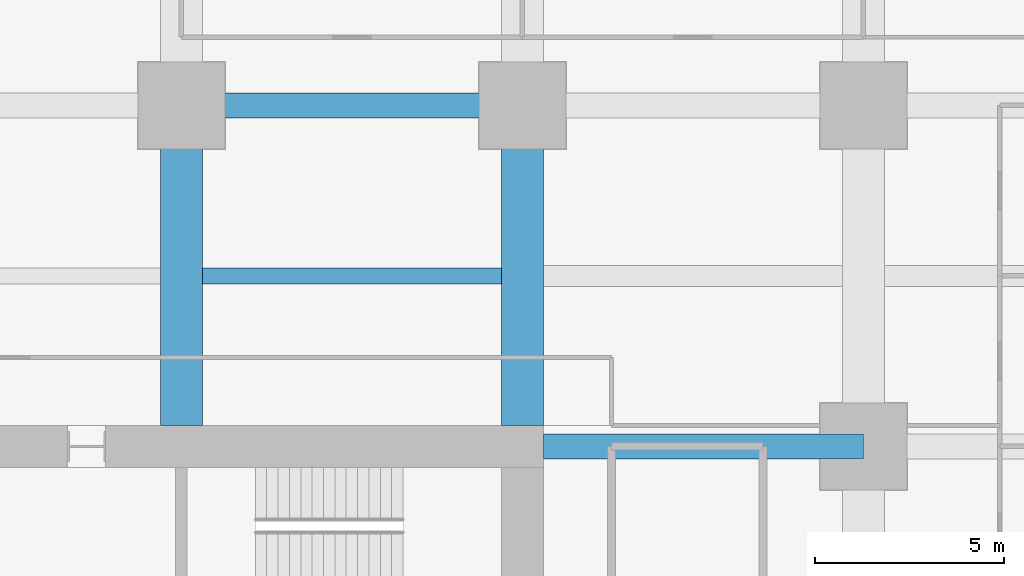
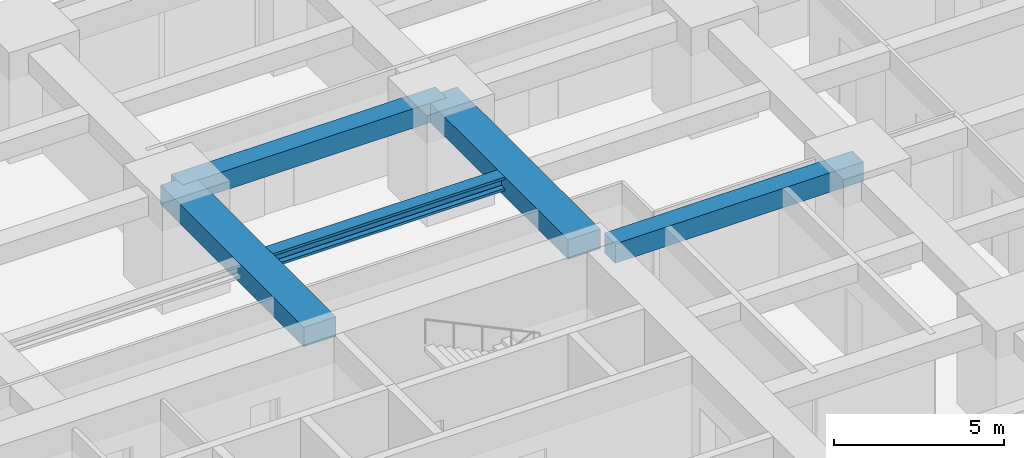
# One storey, part 31 of 45: 5 beams.
"""IFC4 building model written with IfcOpenShell, lengths in metres."""

from ifc_helpers import new_model, si_unit, direction, frame, origin, origin_2d, place, context, subcontext, project, spatial, rectangle, i_section, extrude, material, material_profile, profile_set, type_object, element, save


model = new_model("IFC4")

# Units and contexts
model_context = context("Model", 3, precision=1e-05, world=origin(), true_north=direction((0.0, 1.0)))
body_context = subcontext(model_context, "Body", "Model", "MODEL_VIEW")
ifc_project = project(units=[si_unit("LENGTHUNIT", "METRE"), si_unit("AREAUNIT", "SQUARE_METRE"), si_unit("VOLUMEUNIT", "CUBIC_METRE"), si_unit("PLANEANGLEUNIT", "RADIAN"), si_unit("MASSUNIT", "GRAM", prefix="KILO")], contexts=[model_context])

# Site, building, storey
site_placement = place(None, origin())
site = spatial("IfcSite", under=ifc_project, at=site_placement, CompositionType="ELEMENT")
building_placement = place(site_placement, origin())
building = spatial("IfcBuilding", under=site, at=building_placement, Name="Zorevar Civic Tower", CompositionType="ELEMENT")
storey_placement = place(building_placement, frame((0.0, 0.0, 23.800048828125)))
storey = spatial("IfcBuildingStorey", under=building, at=storey_placement, Name="L05", CompositionType="ELEMENT", Elevation=23.800048828125)

# Beams
ifc_material_1 = material(Name="Concrete C50/60", Category="concrete")
ifc_material_profile_1 = material_profile(ifc_material_1, rectangle(XDim=1.10009765625, YDim=0.699951171875, at=origin_2d()), Name="RC 1100x700")
ifc_profile_set_1 = profile_set([ifc_material_profile_1], Name="Concrete C50/60")
beam_type_1 = type_object("IfcBeamType", Name="Beam RC 1100x700", PredefinedType="BEAM", material=ifc_profile_set_1)
for number, where, z_axis, x_axis, name in (
    (1, (36.0, 36.550048828125, 3.39990234375), (0.0, 1.0, 0.0), (-1.0, 0.0, 0.0), "Girder L06"),
    (2, (45.0, 36.550048828125, 3.39990234375), (0.0, 1.0, 0.0), (-1.0, 0.0, 0.0), "Girder L06"),
):
    element("IfcBeam", number, at=place(storey_placement, frame(where, z_axis=z_axis, x_axis=x_axis)), inside=storey, type_object=beam_type_1, Name=name, PredefinedType="BEAM", context=body_context, shape_type="SweptSolid", body=[
        extrude(rectangle(XDim=1.10009765625, YDim=0.699951171875, at=origin_2d()), origin(), (0.0, 0.0, 1.0), 8.449951171875),
    ])
ifc_material_2 = material(Name="Concrete C50/60", Category="concrete")
ifc_material_profile_2 = material_profile(ifc_material_2, rectangle(XDim=0.64990234375, YDim=0.699951171875, at=origin_2d()), Name="RC 650x700")
ifc_profile_set_2 = profile_set([ifc_material_profile_2], Name="Concrete C50/60")
beam_type_2 = type_object("IfcBeamType", Name="Beam RC 650x700", PredefinedType="BEAM", material=ifc_profile_set_2)
beam_1_placement = place(storey_placement, frame((45.550048828125, 36.0, 3.39990234375), z_axis=(1.0, 0.0, 0.0), x_axis=(0.0, 1.0, 0.0)))
element("IfcBeam", 3, at=beam_1_placement, inside=storey, type_object=beam_type_2, Name="Girder L06", PredefinedType="BEAM", context=body_context, shape_type="SweptSolid", body=[
    extrude(rectangle(XDim=0.64990234375, YDim=0.699951171875, at=origin_2d()), origin(), (0.0, 0.0, 1.0), 8.449951171875),
])
beam_2_placement = place(storey_placement, frame((36.0, 45.0, 3.39990234375), z_axis=(1.0, 0.0, 0.0), x_axis=(0.0, 1.0, 0.0)))
element("IfcBeam", 4, at=beam_2_placement, inside=storey, type_object=beam_type_2, Name="Girder L06", PredefinedType="BEAM", context=body_context, shape_type="SweptSolid", body=[
    extrude(rectangle(XDim=0.64990234375, YDim=0.699951171875, at=origin_2d()), origin(), (0.0, 0.0, 1.0), 9.0),
])
ifc_material_3 = material(Name="Steel S460M (HISTAR 460)", Category="steel")
ifc_material_profile_3 = material_profile(ifc_material_3, i_section(OverallWidth=0.431884765625, OverallDepth=0.498046875, WebThickness=0.0556640625, FlangeThickness=0.0888671875, FilletRadius=0.014892578125, at=origin_2d()), Name="HD 400x744")
ifc_profile_set_3 = profile_set([ifc_material_profile_3], Name="Steel S460M (HISTAR 460)")
beam_type_3 = type_object("IfcBeamType", Name="Core bay beam HD 400x744", PredefinedType="BEAM", material=ifc_profile_set_3)
beam_3_placement = place(storey_placement, frame((36.550048828125, 40.5, 3.5009765625), z_axis=(1.0, 0.0, 0.0), x_axis=(0.0, 1.0, 0.0)))
element("IfcBeam", 5, at=beam_3_placement, inside=storey, type_object=beam_type_3, Name="Secondary beam L06", PredefinedType="BEAM", context=body_context, shape_type="SweptSolid", body=[
    extrude(i_section(OverallWidth=0.431884765625, OverallDepth=0.498046875, WebThickness=0.0556640625, FlangeThickness=0.0888671875, FilletRadius=0.014892578125, at=origin_2d()), origin(), (0.0, 0.0, 1.0), 7.89990234375),
])

save(model, "model.ifc")
